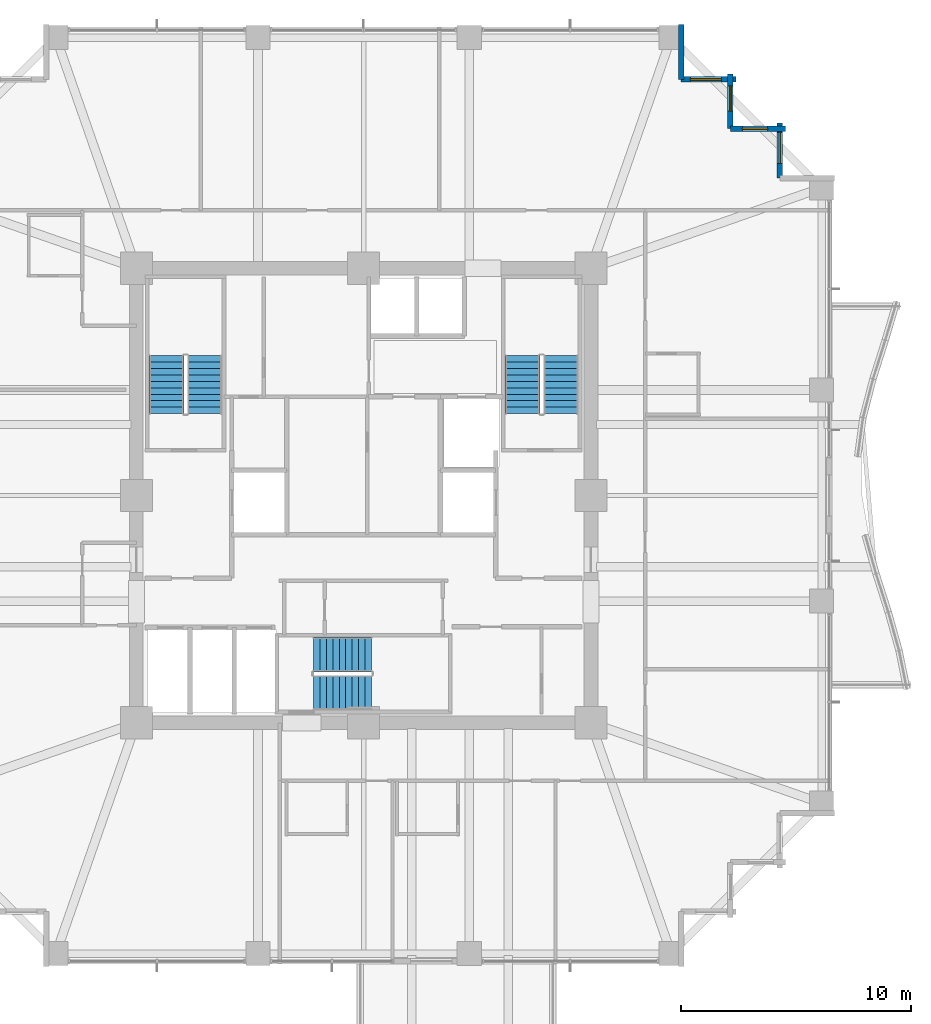
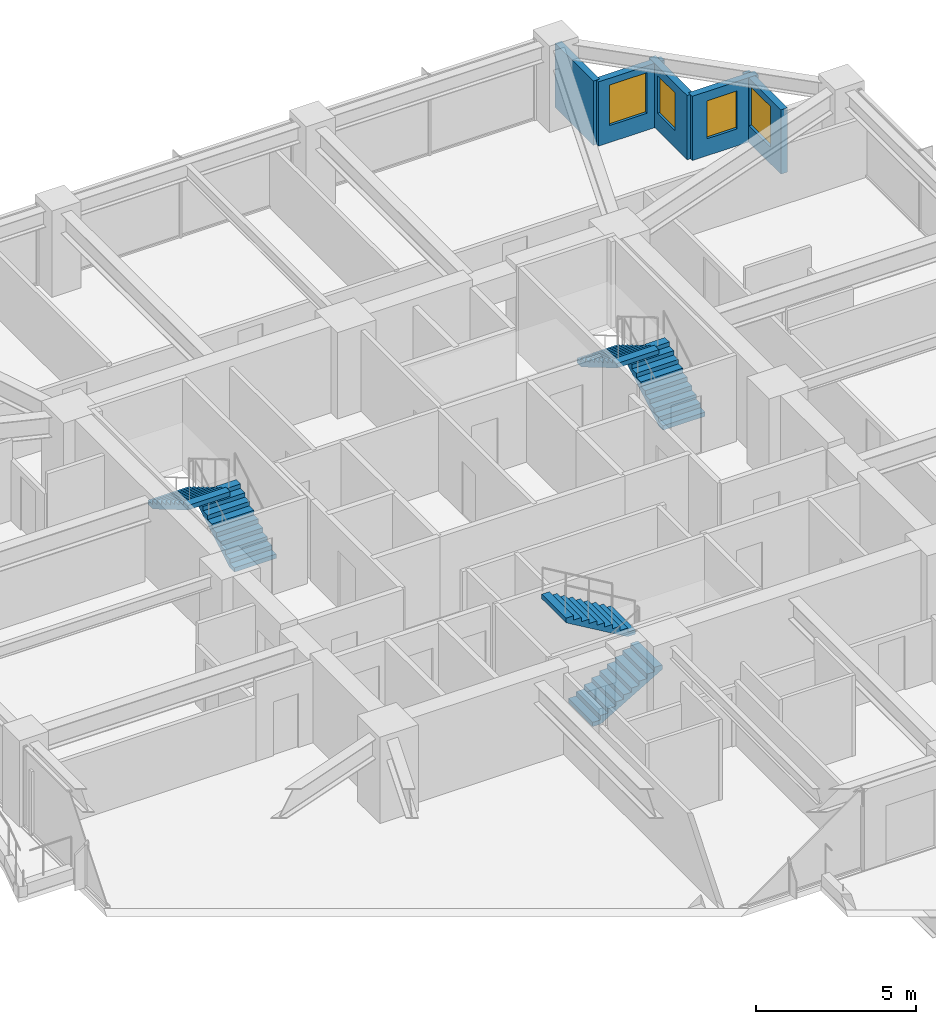
# One storey, part 35 of 38: 6 stair flights, 5 walls, 4 windows, 4 openings, 3 elements without a shape of their own.
"""IFC4 building model written with IfcOpenShell, lengths in metres."""

from ifc_helpers import new_model, si_unit, direction, frame, frame_2d, origin, place, context, subcontext, project, spatial, polyline, rectangle, outline, extrude, material, layer, layer_set, type_object, element, fill, aggregate, save


model = new_model("IFC4")

# Units and contexts
model_context = context("Model", 3, precision=1e-05, world=origin(), true_north=direction((0.0, 1.0)))
body_context = subcontext(model_context, "Body", "Model", "MODEL_VIEW")
ifc_project = project(units=[si_unit("LENGTHUNIT", "METRE"), si_unit("AREAUNIT", "SQUARE_METRE"), si_unit("VOLUMEUNIT", "CUBIC_METRE"), si_unit("PLANEANGLEUNIT", "RADIAN"), si_unit("MASSUNIT", "GRAM", prefix="KILO")], contexts=[model_context])

# Site, building, storey
site_placement = place(None, origin())
site = spatial("IfcSite", under=ifc_project, at=site_placement, CompositionType="ELEMENT")
building_placement = place(site_placement, origin())
building = spatial("IfcBuilding", under=site, at=building_placement, Name="Kolvaren Belvedere", CompositionType="ELEMENT")
storey_placement = place(building_placement, frame((0.0, 0.0, 101.89990234375)))
storey = spatial("IfcBuildingStorey", under=building, at=storey_placement, Name="L29", CompositionType="ELEMENT", Elevation=101.89990234375)

# Wall, opening, window
ifc_material_1 = material(Name="Insulated pale-metal facade wall assembly", Category="aluminium")
ifc_layer = layer(ifc_material_1, 0.239990234375)
ifc_layer_set = layer_set([ifc_layer], Name="Insulated pale-metal facade wall assembly")
wall_type = type_object("IfcWallType", Name="WL-EXT-240", PredefinedType="STANDARD", material=ifc_layer_set)
wall_1_placement = place(storey_placement, frame((18.1298828125, 16.219970703125, 0.0), z_axis=(0.0, 0.0, 1.0), x_axis=(0.0, -1.0, 0.0)))
wall_1 = element("IfcWall", 1, at=wall_1_placement, inside=storey, type_object=wall_type, Name="L29 Serrated Corner Facade Wall 10", PredefinedType="STANDARD", context=body_context, shape_type="SweptSolid", body=[
    extrude(rectangle(XDim=2.389892578125, YDim=0.239990234375, at=frame_2d((1.19482421875, 0.0))), origin(), (0.0, 0.0, 1.0), 2.458984375),
])
opening_1_placement = place(wall_1_placement, frame((0.39990234375, 0.0, 0.64990234375)))
opening_1 = element("IfcOpeningElement", 2, at=opening_1_placement, cuts=wall_1, Name="Opening W-1350", PredefinedType="OPENING", context=body_context, shape_type="SweptSolid", body=[
    extrude(rectangle(XDim=1.35009765625, YDim=1.550048828125, at=frame_2d((0.675048828125, 0.77490234375))), frame((0.0, 0.1298828125, 0.0), z_axis=(0.0, -1.0, 0.0), x_axis=(1.0, 0.0, 0.0)), (0.0, 0.0, 1.0), 0.260009765625),
])
ifc_material_2 = material(Name="Low-iron triple insulated glass", Category="glass")
window_type_1 = type_object("IfcWindowType", Name="WN-CORN-1350", PartitioningType="SINGLE_PANEL", PredefinedType="WINDOW", material=ifc_material_2)
window_1_placement = place(opening_1_placement, origin())
window_1 = element("IfcWindow", 3, at=window_1_placement, inside=storey, type_object=window_type_1, Name="L29 Serrated Corner Vision Window 10", OverallHeight=1.550048828125, OverallWidth=1.35009765625, PartitioningType="SINGLE_PANEL", PredefinedType="WINDOW", context=body_context, shape_type="SweptSolid", body=[
    extrude(rectangle(XDim=1.35009765625, YDim=1.550048828125, at=frame_2d((0.675048828125, 0.77490234375))), frame((0.0, 0.030029296875, 0.0), z_axis=(0.0, -1.0, 0.0), x_axis=(1.0, 0.0, 0.0)), (0.0, 0.0, 1.0), 0.06005859375),
])
fill(opening_1, window_1)

wall_2_placement = place(storey_placement, frame((15.97998046875, 15.97998046875, 0.0), z_axis=(0.0, 0.0, 1.0), x_axis=(1.0, 0.0, 0.0)))
wall_2 = element("IfcWall", 4, at=wall_2_placement, inside=storey, type_object=wall_type, Name="L29 Serrated Corner Facade Wall 11", PredefinedType="STANDARD", context=body_context, shape_type="SweptSolid", body=[
    extrude(rectangle(XDim=2.39013671875, YDim=0.239990234375, at=frame_2d((1.195068359375, 0.0))), origin(), (0.0, 0.0, 1.0), 2.458984375),
])
opening_2_placement = place(wall_2_placement, frame((0.52490234375, 0.0, 0.64990234375)))
opening_2 = element("IfcOpeningElement", 5, at=opening_2_placement, cuts=wall_2, Name="Opening W-1100", PredefinedType="OPENING", context=body_context, shape_type="SweptSolid", body=[
    extrude(rectangle(XDim=1.10009765625, YDim=1.449951171875, at=frame_2d((0.550048828125, 0.72509765625))), frame((0.0, 0.1298828125, 0.0), z_axis=(0.0, -1.0, 0.0), x_axis=(1.0, 0.0, 0.0)), (0.0, 0.0, 1.0), 0.260009765625),
])
ifc_material_3 = material(Name="Low-iron triple insulated glass", Category="glass")
window_type_2 = type_object("IfcWindowType", Name="WN-CORN-1100", PartitioningType="SINGLE_PANEL", PredefinedType="WINDOW", material=ifc_material_3)
window_2_placement = place(opening_2_placement, origin())
window_2 = element("IfcWindow", 6, at=window_2_placement, inside=storey, type_object=window_type_2, Name="L29 Serrated Corner Vision Window 11", OverallHeight=1.449951171875, OverallWidth=1.10009765625, PartitioningType="SINGLE_PANEL", PredefinedType="WINDOW", context=body_context, shape_type="SweptSolid", body=[
    extrude(rectangle(XDim=1.10009765625, YDim=1.449951171875, at=frame_2d((0.550048828125, 0.72509765625))), frame((0.0, 0.030029296875, 0.0), z_axis=(0.0, -1.0, 0.0), x_axis=(1.0, 0.0, 0.0)), (0.0, 0.0, 1.0), 0.06005859375),
])
fill(opening_2, window_2)

wall_3_placement = place(storey_placement, frame((15.97998046875, 18.3701171875, 0.0), z_axis=(0.0, 0.0, 1.0), x_axis=(0.0, -1.0, 0.0)))
wall_3 = element("IfcWall", 7, at=wall_3_placement, inside=storey, type_object=wall_type, Name="L29 Serrated Corner Facade Wall 12", PredefinedType="STANDARD", context=body_context, shape_type="SweptSolid", body=[
    extrude(rectangle(XDim=2.39013671875, YDim=0.239990234375, at=frame_2d((1.195068359375, 0.0))), origin(), (0.0, 0.0, 1.0), 2.458984375),
])
opening_3_placement = place(wall_3_placement, frame((0.52490234375, 0.0, 0.64990234375)))
opening_3 = element("IfcOpeningElement", 8, at=opening_3_placement, cuts=wall_3, Name="Opening W-1100", PredefinedType="OPENING", context=body_context, shape_type="SweptSolid", body=[
    extrude(rectangle(XDim=1.10009765625, YDim=1.449951171875, at=frame_2d((0.550048828125, 0.72509765625))), frame((0.0, 0.1298828125, 0.0), z_axis=(0.0, -1.0, 0.0), x_axis=(1.0, 0.0, 0.0)), (0.0, 0.0, 1.0), 0.260009765625),
])
window_3_placement = place(opening_3_placement, origin())
window_3 = element("IfcWindow", 9, at=window_3_placement, inside=storey, type_object=window_type_2, Name="L29 Serrated Corner Vision Window 12", OverallHeight=1.449951171875, OverallWidth=1.10009765625, PartitioningType="SINGLE_PANEL", PredefinedType="WINDOW", context=body_context, shape_type="SweptSolid", body=[
    extrude(rectangle(XDim=1.10009765625, YDim=1.449951171875, at=frame_2d((0.550048828125, 0.72509765625))), frame((0.0, 0.030029296875, 0.0), z_axis=(0.0, -1.0, 0.0), x_axis=(1.0, 0.0, 0.0)), (0.0, 0.0, 1.0), 0.06005859375),
])
fill(opening_3, window_3)

wall_4_placement = place(storey_placement, frame((13.830078125, 18.1298828125, 0.0), z_axis=(0.0, 0.0, 1.0), x_axis=(1.0, 0.0, 0.0)))
wall_4 = element("IfcWall", 10, at=wall_4_placement, inside=storey, type_object=wall_type, Name="L29 Serrated Corner Facade Wall 13", PredefinedType="STANDARD", context=body_context, shape_type="SweptSolid", body=[
    extrude(rectangle(XDim=2.389892578125, YDim=0.239990234375, at=frame_2d((1.19482421875, 0.0))), origin(), (0.0, 0.0, 1.0), 2.458984375),
])
opening_4_placement = place(wall_4_placement, frame((0.39990234375, 0.0, 0.64990234375)))
opening_4 = element("IfcOpeningElement", 11, at=opening_4_placement, cuts=wall_4, Name="Opening W-1350", PredefinedType="OPENING", context=body_context, shape_type="SweptSolid", body=[
    extrude(rectangle(XDim=1.35009765625, YDim=1.550048828125, at=frame_2d((0.675048828125, 0.77490234375))), frame((0.0, 0.1298828125, 0.0), z_axis=(0.0, -1.0, 0.0), x_axis=(1.0, 0.0, 0.0)), (0.0, 0.0, 1.0), 0.260009765625),
])
window_4_placement = place(opening_4_placement, origin())
window_4 = element("IfcWindow", 12, at=window_4_placement, inside=storey, type_object=window_type_1, Name="L29 Serrated Corner Vision Window 13", OverallHeight=1.550048828125, OverallWidth=1.35009765625, PartitioningType="SINGLE_PANEL", PredefinedType="WINDOW", context=body_context, shape_type="SweptSolid", body=[
    extrude(rectangle(XDim=1.35009765625, YDim=1.550048828125, at=frame_2d((0.675048828125, 0.77490234375))), frame((0.0, 0.030029296875, 0.0), z_axis=(0.0, -1.0, 0.0), x_axis=(1.0, 0.0, 0.0)), (0.0, 0.0, 1.0), 0.06005859375),
])
fill(opening_4, window_4)

# Wall
wall_5_placement = place(storey_placement, frame((13.830078125, 20.52001953125, 0.0), z_axis=(0.0, 0.0, 1.0), x_axis=(0.0, -1.0, 0.0)))
element("IfcWall", 13, at=wall_5_placement, inside=storey, type_object=wall_type, Name="L29 Serrated Corner Facade Wall 14", PredefinedType="STANDARD", context=body_context, shape_type="SweptSolid", body=[
    extrude(rectangle(XDim=2.39013671875, YDim=0.239990234375, at=frame_2d((1.195068359375, 0.0))), origin(), (0.0, 0.0, 1.0), 2.458984375),
])

# Stair, stair flights
ifc_material_4 = material(Name="Concrete C50/60", Category="concrete")
stair_type = type_object("IfcStairType", Name="ST-CORE-1520", PredefinedType="HALF_TURN_STAIR", material=ifc_material_4)
stair_1_placement = place(storey_placement, origin())
stair_1 = element("IfcStair", 14, at=stair_1_placement, inside=storey, type_object=stair_type, Name="L29 Protected Exit Stair ST-1", PredefinedType="HALF_TURN_STAIR")
ifc_material_5 = material(Name="Concrete C50/60", Category="concrete")
stair_flight_type = type_object("IfcStairFlightType", Name="SF-STR-1520", PredefinedType="STRAIGHT", material=ifc_material_5)
stair_flight_1_placement = place(storey_placement, frame((-6.919921875, 3.570068359375, 0.0), z_axis=(0.0, 0.0, 1.0), x_axis=(0.0, 1.0, 0.0)))
stair_flight_1 = element("IfcStairFlight", 15, at=stair_flight_1_placement, type_object=stair_flight_type, Name="ST-1 flight 1", NumberOfRisers=10, NumberOfTreads=9, PredefinedType="STRAIGHT", RiserHeight=0.165, TreadLength=0.28, context=body_context, shape_type="SweptSolid", body=[
    extrude(outline(polyline([(0.0, 0.0), (0.0, 0.1650390625), (0.280029296875, 0.1650390625), (0.280029296875, 0.330078125), (0.56005859375, 0.330078125), (0.56005859375, 0.4951171875), (0.840087890625, 0.4951171875), (0.840087890625, 0.659912109375), (1.1201171875, 0.659912109375), (1.1201171875, 0.824951171875), (1.39990234375, 0.824951171875), (1.39990234375, 0.989990234375), (1.679931640625, 0.989990234375), (1.679931640625, 1.155029296875), (1.9599609375, 1.155029296875), (1.9599609375, 1.320068359375), (2.239990234375, 1.320068359375), (2.239990234375, 1.485107421875), (2.52001953125, 1.485107421875), (2.52001953125, 1.64990234375), (2.52001953125, 1.31103515625), (0.295166015625, 0.0), (0.0, 0.0)])), frame((0.0, 0.760009765625, 0.0), z_axis=(0.0, -1.0, 0.0), x_axis=(1.0, 0.0, 0.0)), (0.0, 0.0, 1.0), 1.52001953125),
])
stair_flight_2_placement = place(storey_placement, frame((-8.590087890625, 6.090087890625, 1.650146484375), z_axis=(0.0, 0.0, 1.0), x_axis=(0.0, -1.0, 0.0)))
stair_flight_2 = element("IfcStairFlight", 16, at=stair_flight_2_placement, type_object=stair_flight_type, Name="ST-1 flight 2", NumberOfRisers=10, NumberOfTreads=9, PredefinedType="STRAIGHT", RiserHeight=0.165, TreadLength=0.28, context=body_context, shape_type="SweptSolid", body=[
    extrude(outline(polyline([(0.0, 0.0), (0.0, 0.1650390625), (0.280029296875, 0.1650390625), (0.280029296875, 0.330078125), (0.56005859375, 0.330078125), (0.56005859375, 0.4951171875), (0.840087890625, 0.4951171875), (0.840087890625, 0.659912109375), (1.1201171875, 0.659912109375), (1.1201171875, 0.824951171875), (1.39990234375, 0.824951171875), (1.39990234375, 0.989990234375), (1.679931640625, 0.989990234375), (1.679931640625, 1.155029296875), (1.9599609375, 1.155029296875), (1.9599609375, 1.320068359375), (2.239990234375, 1.320068359375), (2.239990234375, 1.485107421875), (2.52001953125, 1.485107421875), (2.52001953125, 1.64990234375), (2.52001953125, 1.31103515625), (0.295166015625, 0.0), (0.0, 0.0)])), frame((0.0, 0.760009765625, 0.0), z_axis=(0.0, -1.0, 0.0), x_axis=(1.0, 0.0, 0.0)), (0.0, 0.0, 1.0), 1.52001953125),
])
aggregate(stair_1, [stair_flight_1, stair_flight_2])

stair_2_placement = place(storey_placement, origin())
stair_2 = element("IfcStair", 17, at=stair_2_placement, inside=storey, type_object=stair_type, Name="L29 Protected Exit Stair ST-2", PredefinedType="HALF_TURN_STAIR")
stair_flight_3_placement = place(storey_placement, frame((8.590087890625, 3.570068359375, 0.0), z_axis=(0.0, 0.0, 1.0), x_axis=(0.0, 1.0, 0.0)))
stair_flight_3 = element("IfcStairFlight", 18, at=stair_flight_3_placement, type_object=stair_flight_type, Name="ST-2 flight 1", NumberOfRisers=10, NumberOfTreads=9, PredefinedType="STRAIGHT", RiserHeight=0.165, TreadLength=0.28, context=body_context, shape_type="SweptSolid", body=[
    extrude(outline(polyline([(0.0, 0.0), (0.0, 0.1650390625), (0.280029296875, 0.1650390625), (0.280029296875, 0.330078125), (0.56005859375, 0.330078125), (0.56005859375, 0.4951171875), (0.840087890625, 0.4951171875), (0.840087890625, 0.659912109375), (1.1201171875, 0.659912109375), (1.1201171875, 0.824951171875), (1.39990234375, 0.824951171875), (1.39990234375, 0.989990234375), (1.679931640625, 0.989990234375), (1.679931640625, 1.155029296875), (1.9599609375, 1.155029296875), (1.9599609375, 1.320068359375), (2.239990234375, 1.320068359375), (2.239990234375, 1.485107421875), (2.52001953125, 1.485107421875), (2.52001953125, 1.64990234375), (2.52001953125, 1.31103515625), (0.295166015625, 0.0), (0.0, 0.0)])), frame((0.0, 0.760009765625, 0.0), z_axis=(0.0, -1.0, 0.0), x_axis=(1.0, 0.0, 0.0)), (0.0, 0.0, 1.0), 1.52001953125),
])
stair_flight_4_placement = place(storey_placement, frame((6.919921875, 6.090087890625, 1.650146484375), z_axis=(0.0, 0.0, 1.0), x_axis=(0.0, -1.0, 0.0)))
stair_flight_4 = element("IfcStairFlight", 19, at=stair_flight_4_placement, type_object=stair_flight_type, Name="ST-2 flight 2", NumberOfRisers=10, NumberOfTreads=9, PredefinedType="STRAIGHT", RiserHeight=0.165, TreadLength=0.28, context=body_context, shape_type="SweptSolid", body=[
    extrude(outline(polyline([(0.0, 0.0), (0.0, 0.1650390625), (0.280029296875, 0.1650390625), (0.280029296875, 0.330078125), (0.56005859375, 0.330078125), (0.56005859375, 0.4951171875), (0.840087890625, 0.4951171875), (0.840087890625, 0.659912109375), (1.1201171875, 0.659912109375), (1.1201171875, 0.824951171875), (1.39990234375, 0.824951171875), (1.39990234375, 0.989990234375), (1.679931640625, 0.989990234375), (1.679931640625, 1.155029296875), (1.9599609375, 1.155029296875), (1.9599609375, 1.320068359375), (2.239990234375, 1.320068359375), (2.239990234375, 1.485107421875), (2.52001953125, 1.485107421875), (2.52001953125, 1.64990234375), (2.52001953125, 1.31103515625), (0.295166015625, 0.0), (0.0, 0.0)])), frame((0.0, 0.760009765625, 0.0), z_axis=(0.0, -1.0, 0.0), x_axis=(1.0, 0.0, 0.0)), (0.0, 0.0, 1.0), 1.52001953125),
])
aggregate(stair_2, [stair_flight_3, stair_flight_4])

stair_3_placement = place(storey_placement, origin())
stair_3 = element("IfcStair", 20, at=stair_3_placement, inside=storey, type_object=stair_type, Name="L29 Protected Exit Stair ST-3", PredefinedType="HALF_TURN_STAIR")
stair_flight_5_placement = place(storey_placement, frame((-2.179931640625, -8.590087890625, 0.0), z_axis=(0.0, 0.0, 1.0), x_axis=(1.0, 0.0, 0.0)))
stair_flight_5 = element("IfcStairFlight", 21, at=stair_flight_5_placement, type_object=stair_flight_type, Name="ST-3 flight 1", NumberOfRisers=10, NumberOfTreads=9, PredefinedType="STRAIGHT", RiserHeight=0.165, TreadLength=0.28, context=body_context, shape_type="SweptSolid", body=[
    extrude(outline(polyline([(0.0, 0.0), (0.0, 0.1650390625), (0.280029296875, 0.1650390625), (0.280029296875, 0.330078125), (0.56005859375, 0.330078125), (0.56005859375, 0.4951171875), (0.840087890625, 0.4951171875), (0.840087890625, 0.659912109375), (1.1201171875, 0.659912109375), (1.1201171875, 0.824951171875), (1.39990234375, 0.824951171875), (1.39990234375, 0.989990234375), (1.679931640625, 0.989990234375), (1.679931640625, 1.155029296875), (1.9599609375, 1.155029296875), (1.9599609375, 1.320068359375), (2.239990234375, 1.320068359375), (2.239990234375, 1.485107421875), (2.52001953125, 1.485107421875), (2.52001953125, 1.64990234375), (2.52001953125, 1.31103515625), (0.295166015625, 0.0), (0.0, 0.0)])), frame((0.0, 0.760009765625, 0.0), z_axis=(0.0, -1.0, 0.0), x_axis=(1.0, 0.0, 0.0)), (0.0, 0.0, 1.0), 1.52001953125),
])
stair_flight_6_placement = place(storey_placement, frame((0.340087890625, -6.919921875, 1.650146484375), z_axis=(0.0, 0.0, 1.0), x_axis=(-1.0, 0.0, 0.0)))
stair_flight_6 = element("IfcStairFlight", 22, at=stair_flight_6_placement, type_object=stair_flight_type, Name="ST-3 flight 2", NumberOfRisers=10, NumberOfTreads=9, PredefinedType="STRAIGHT", RiserHeight=0.165, TreadLength=0.28, context=body_context, shape_type="SweptSolid", body=[
    extrude(outline(polyline([(0.0, 0.0), (0.0, 0.1650390625), (0.280029296875, 0.1650390625), (0.280029296875, 0.330078125), (0.56005859375, 0.330078125), (0.56005859375, 0.4951171875), (0.840087890625, 0.4951171875), (0.840087890625, 0.659912109375), (1.1201171875, 0.659912109375), (1.1201171875, 0.824951171875), (1.39990234375, 0.824951171875), (1.39990234375, 0.989990234375), (1.679931640625, 0.989990234375), (1.679931640625, 1.155029296875), (1.9599609375, 1.155029296875), (1.9599609375, 1.320068359375), (2.239990234375, 1.320068359375), (2.239990234375, 1.485107421875), (2.52001953125, 1.485107421875), (2.52001953125, 1.64990234375), (2.52001953125, 1.31103515625), (0.295166015625, 0.0), (0.0, 0.0)])), frame((0.0, 0.760009765625, 0.0), z_axis=(0.0, -1.0, 0.0), x_axis=(1.0, 0.0, 0.0)), (0.0, 0.0, 1.0), 1.52001953125),
])
aggregate(stair_3, [stair_flight_5, stair_flight_6])

save(model, "model.ifc")
